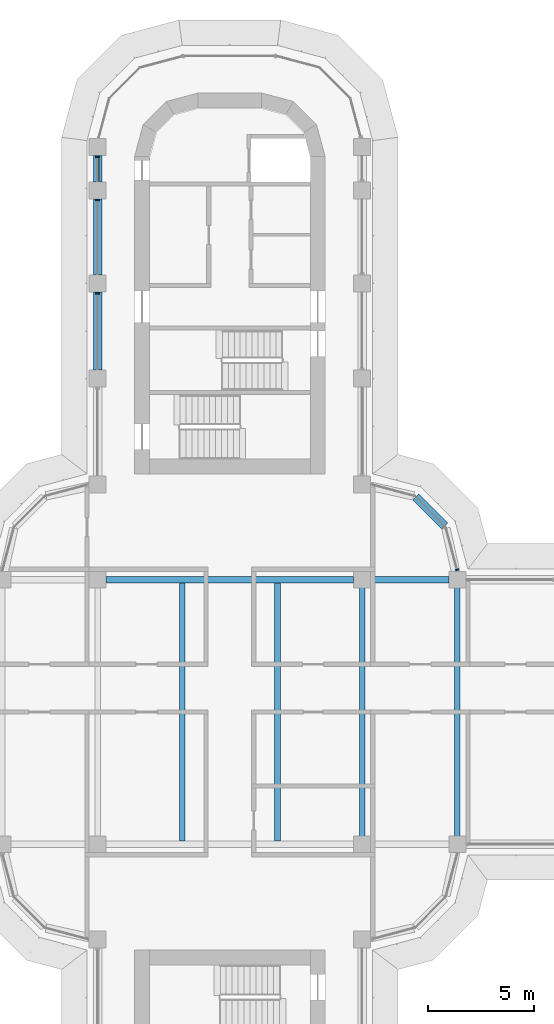
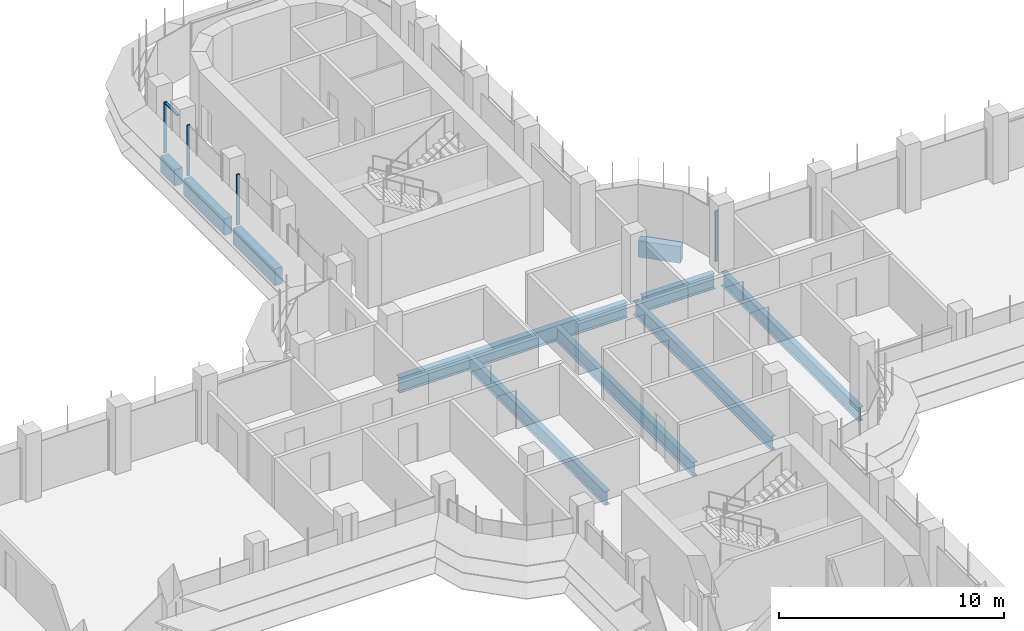
# One storey, part 7 of 20: 10 beams, 5 members, 2 elements without a shape of their own.
"""IFC4 building model written with IfcOpenShell, lengths in metres."""

from ifc_helpers import new_model, si_unit, direction, frame, origin, origin_2d, place, context, subcontext, project, spatial, polyline, rectangle, i_section, outline, extrude, source, transform, mapped, material, material_profile, profile_set, type_object, element, aggregate, save


model = new_model("IFC4")

# Units and contexts
model_context = context("Model", 3, precision=1e-05, world=origin(), true_north=direction((0.0, 1.0)))
body_context = subcontext(model_context, "Body", "Model", "MODEL_VIEW")
ifc_project = project(units=[si_unit("LENGTHUNIT", "METRE"), si_unit("AREAUNIT", "SQUARE_METRE"), si_unit("VOLUMEUNIT", "CUBIC_METRE"), si_unit("PLANEANGLEUNIT", "RADIAN"), si_unit("MASSUNIT", "GRAM", prefix="KILO")], contexts=[model_context])

# Site, building, storey
site_placement = place(None, origin())
site = spatial("IfcSite", under=ifc_project, at=site_placement, CompositionType="ELEMENT")
building_placement = place(site_placement, origin())
building = spatial("IfcBuilding", under=site, at=building_placement, Name="Zarbagh Exchange Tower", CompositionType="ELEMENT")
storey_placement = place(building_placement, frame((0.0, 0.0, 144.800048828125)))
storey = spatial("IfcBuildingStorey", under=building, at=storey_placement, Name="L34", CompositionType="ELEMENT", Elevation=144.800048828125)

# Beams
ifc_material_1 = material(Name="Steel ASTM A992 Gr 50", Category="steel")
ifc_material_profile_1 = material_profile(ifc_material_1, i_section(OverallWidth=0.26416015625, OverallDepth=0.749267578125, WebThickness=0.011962890625, FlangeThickness=0.015380859375, at=origin_2d()), Name="W30X90")
ifc_profile_set_1 = profile_set([ifc_material_profile_1], Name="Steel ASTM A992 Gr 50")
beam_type_1 = type_object("IfcBeamType", Name="Floor beam W30X90", PredefinedType="BEAM", material=ifc_profile_set_1)
for number, where, z_axis, x_axis, name in (
    (1, (-2.25, -6.10400390625, -0.524658203125), (0.0, 1.0, 0.0), (-1.0, 0.0, 0.0), "Steel floor beam"),
    (2, (2.25, -6.10400390625, -0.524658203125), (0.0, 1.0, 0.0), (-1.0, 0.0, 0.0), "Steel floor beam"),
    (3, (6.25, -6.10400390625, -0.524658203125), (0.0, 1.0, 0.0), (-1.0, 0.0, 0.0), "Steel floor beam"),
    (4, (10.75, -6.10400390625, -0.524658203125), (0.0, 1.0, 0.0), (-1.0, 0.0, 0.0), "Steel floor beam"),
):
    element("IfcBeam", number, at=place(storey_placement, frame(where, z_axis=z_axis, x_axis=x_axis)), inside=storey, type_object=beam_type_1, Name=name, PredefinedType="BEAM", context=body_context, shape_type="SweptSolid", body=[
        extrude(i_section(OverallWidth=0.26416015625, OverallDepth=0.749267578125, WebThickness=0.011962890625, FlangeThickness=0.015380859375, at=origin_2d()), origin(), (0.0, 0.0, 1.0), 12.2080078125),
    ])
ifc_material_profile_2 = material_profile(ifc_material_1, i_section(OverallWidth=0.2919921875, OverallDepth=0.835693359375, WebThickness=0.013916015625, FlangeThickness=0.018798828125, at=origin_2d()), Name="W33X118")
ifc_profile_set_2 = profile_set([ifc_material_profile_2], Name="Steel ASTM A992 Gr 50")
beam_type_2 = type_object("IfcBeamType", Name="Floor girder W33X118", PredefinedType="BEAM", material=ifc_profile_set_2)
beam_1_placement = place(storey_placement, frame((-5.85009765625, 6.25, -0.56787109375), z_axis=(1.0, 0.0, 0.0), x_axis=(0.0, 1.0, 0.0)))
element("IfcBeam", 5, at=beam_1_placement, inside=storey, type_object=beam_type_2, Name="Steel girder", PredefinedType="BEAM", context=body_context, shape_type="SweptSolid", body=[
    extrude(i_section(OverallWidth=0.2919921875, OverallDepth=0.835693359375, WebThickness=0.013916015625, FlangeThickness=0.018798828125, at=origin_2d()), origin(), (0.0, 0.0, 1.0), 11.7001953125),
])
beam_2_placement = place(storey_placement, frame((6.64990234375, 6.25, -0.56787109375), z_axis=(1.0, 0.0, 0.0), x_axis=(0.0, 1.0, 0.0)))
element("IfcBeam", 6, at=beam_2_placement, inside=storey, type_object=beam_type_2, Name="Steel girder", PredefinedType="BEAM", context=body_context, shape_type="SweptSolid", body=[
    extrude(i_section(OverallWidth=0.2919921875, OverallDepth=0.835693359375, WebThickness=0.013916015625, FlangeThickness=0.018798828125, at=origin_2d()), origin(), (0.0, 0.0, 1.0), 3.7001953125),
])
ifc_material_2 = material(Name="Concrete C50/60", Category="concrete")
ifc_material_profile_3 = material_profile(ifc_material_2, rectangle(XDim=0.39990234375, YDim=0.89990234375, at=origin_2d()), Name="RC spandrel beam 400 x 900 C50/60")
ifc_profile_set_3 = profile_set([ifc_material_profile_3], Name="Concrete C50/60")
beam_type_3 = type_object("IfcBeamType", Name="RC spandrel beam 400 x 900 C50/60", PredefinedType="SPANDREL", material=ifc_profile_set_3)
beam_3_placement = place(storey_placement, frame((-6.25, 16.14990234375, -0.60009765625), z_axis=(0.0, 1.0, 0.0), x_axis=(-1.0, 0.0, 0.0)))
element("IfcBeam", 7, at=beam_3_placement, inside=storey, type_object=beam_type_3, Name="RC spandrel beam", PredefinedType="SPANDREL", context=body_context, shape_type="SweptSolid", body=[
    extrude(rectangle(XDim=0.39990234375, YDim=0.89990234375, at=origin_2d()), origin(), (0.0, 0.0, 1.0), 3.7001953125),
])
beam_4_placement = place(storey_placement, frame((-6.25, 20.64990234375, -0.60009765625), z_axis=(0.0, 1.0, 0.0), x_axis=(-1.0, 0.0, 0.0)))
element("IfcBeam", 8, at=beam_4_placement, inside=storey, type_object=beam_type_3, Name="RC spandrel beam", PredefinedType="SPANDREL", context=body_context, shape_type="SweptSolid", body=[
    extrude(rectangle(XDim=0.39990234375, YDim=0.89990234375, at=origin_2d()), origin(), (0.0, 0.0, 1.0), 3.60009765625),
])
beam_5_placement = place(storey_placement, frame((-6.25, 25.050048828125, -0.60009765625), z_axis=(0.0, 1.0, 0.0), x_axis=(-1.0, 0.0, 0.0)))
element("IfcBeam", 9, at=beam_5_placement, inside=storey, type_object=beam_type_3, Name="RC spandrel beam", PredefinedType="SPANDREL", context=body_context, shape_type="SweptSolid", body=[
    extrude(rectangle(XDim=0.39990234375, YDim=0.89990234375, at=origin_2d()), origin(), (0.0, 0.0, 1.0), 1.25),
])
beam_6_placement = place(storey_placement, frame((8.782470703125, 10.15771484375, -0.60009765625), z_axis=(0.707106781187, -0.707106781187, 0.0), x_axis=(0.707106781187, 0.707106781187, 0.0)))
element("IfcBeam", 10, at=beam_6_placement, inside=storey, type_object=beam_type_3, Name="RC spandrel beam", PredefinedType="SPANDREL", context=body_context, shape_type="SweptSolid", body=[
    extrude(rectangle(XDim=0.39990234375, YDim=0.89990234375, at=origin_2d()), origin(), (0.0, 0.0, 1.0), 1.94482421875),
])

# Curtain wall, member
ifc_material_3 = material(Name="Anodised aluminium frame and glazing", Category="aluminium")
curtain_wall_type = type_object("IfcCurtainWallType", Name="CWB Ribbon glazing, upper zones", PredefinedType="NOTDEFINED", material=ifc_material_3)
curtain_wall_1_placement = place(storey_placement, origin())
curtain_wall_1 = element("IfcCurtainWall", 11, at=curtain_wall_1_placement, inside=storey, type_object=curtain_wall_type, Name="CWB17 curtain wall", PredefinedType="NOTDEFINED")
ifc_material_4 = material(Name="Anodised aluminium frame", Category="aluminium")
member_type_1 = type_object("IfcMemberType", Name="MUB Mullion, anodised aluminium frame", PredefinedType="MULLION", material=ifc_material_4)
shared_shape_1 = source(origin(), body_context, "Body", "SweptSolid", [
    extrude(outline(polyline([(0.0, -0.080078125), (0.06005859375, -0.080078125), (0.06005859375, 0.080078125), (0.0, 0.080078125), (0.0, -0.080078125)])), origin(), (0.0, 0.0, 1.0), 2.75),
])
placement = place(storey_placement, origin())
member_1 = element("IfcMember", 12, at=placement, type_object=member_type_1, Name="CWB17 mullion 1.1", PredefinedType="MULLION", context=body_context, shape_type="MappedRepresentation", body=[
    mapped(shared_shape_1, transform((10.74853515625, 6.68994140625, 0.0), x_axis=(-0.258824779902, 0.965924289636, 0.0), y_axis=(-0.965924289636, -0.258824779902, 0.0), z_axis=(0.0, 0.0, 1.0))),
])
aggregate(curtain_wall_1, [member_1])

# Curtain wall, members
curtain_wall_2_placement = place(storey_placement, origin())
curtain_wall_2 = element("IfcCurtainWall", 13, at=curtain_wall_2_placement, inside=storey, type_object=curtain_wall_type, Name="CWB28 curtain wall", PredefinedType="NOTDEFINED")
member_2 = element("IfcMember", 14, at=placement, type_object=member_type_1, Name="CWB28 mullion 1.1", PredefinedType="MULLION", context=body_context, shape_type="MappedRepresentation", body=[
    mapped(shared_shape_1, transform((-6.25, 26.260009765625, 0.0), x_axis=(0.0, -1.0, 0.0), y_axis=(1.0, 0.0, 0.0), z_axis=(0.0, 0.0, 1.0))),
])
member_3 = element("IfcMember", 15, at=placement, type_object=member_type_1, Name="CWB28 mullion 2.1", PredefinedType="MULLION", context=body_context, shape_type="MappedRepresentation", body=[
    mapped(shared_shape_1, transform((-6.25, 24.2099609375, 0.0), x_axis=(0.0, -1.0, 0.0), y_axis=(1.0, 0.0, 0.0), z_axis=(0.0, 0.0, 1.0))),
])
member_4 = element("IfcMember", 16, at=placement, type_object=member_type_1, Name="CWB28 mullion 3.1", PredefinedType="MULLION", context=body_context, shape_type="MappedRepresentation", body=[
    mapped(shared_shape_1, transform((-6.25, 19.81005859375, 0.0), x_axis=(0.0, -1.0, 0.0), y_axis=(1.0, 0.0, 0.0), z_axis=(0.0, 0.0, 1.0))),
])
member_type_2 = type_object("IfcMemberType", Name="TRB Transom, anodised aluminium frame", PredefinedType="USERDEFINED", material=ifc_material_4)
shared_shape_2 = source(origin(), body_context, "Body", "SweptSolid", [
    extrude(outline(polyline([(-0.06005859375, -0.06005859375), (0.0, -0.06005859375), (0.0, 0.06005859375), (-0.06005859375, 0.06005859375), (-0.06005859375, -0.06005859375)])), origin(), (0.0, 0.0, 1.0), 1.110107421875),
])
member_5 = element("IfcMember", 17, at=placement, type_object=member_type_2, Name="CWB28 transom 1.1", ObjectType="TRANSOM", PredefinedType="USERDEFINED", context=body_context, shape_type="MappedRepresentation", body=[
    mapped(shared_shape_2, transform((-6.25, 26.199951171875, 2.75), x_axis=(0.0, 0.0, 1.0), y_axis=(-1.0, 0.0, 0.0), z_axis=(0.0, -1.0, 0.0))),
])
aggregate(curtain_wall_2, [member_2, member_5, member_3, member_4])

save(model, "model.ifc")
